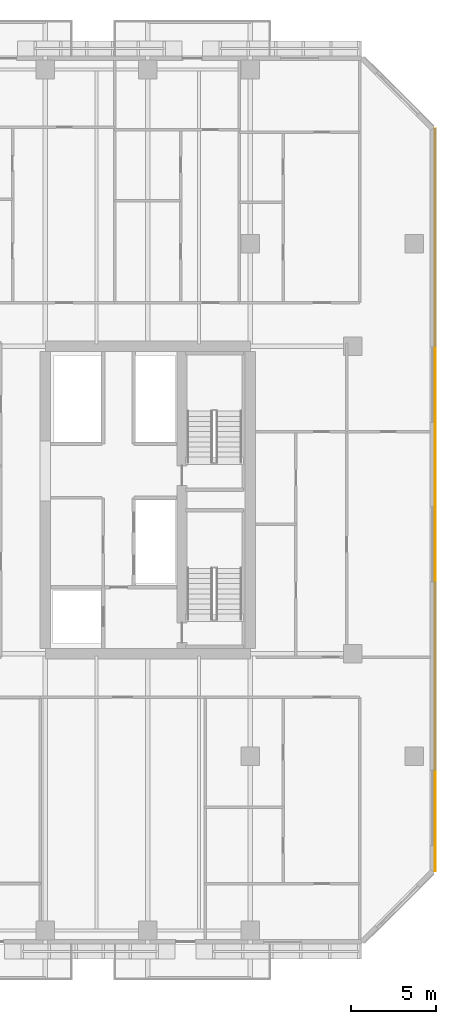
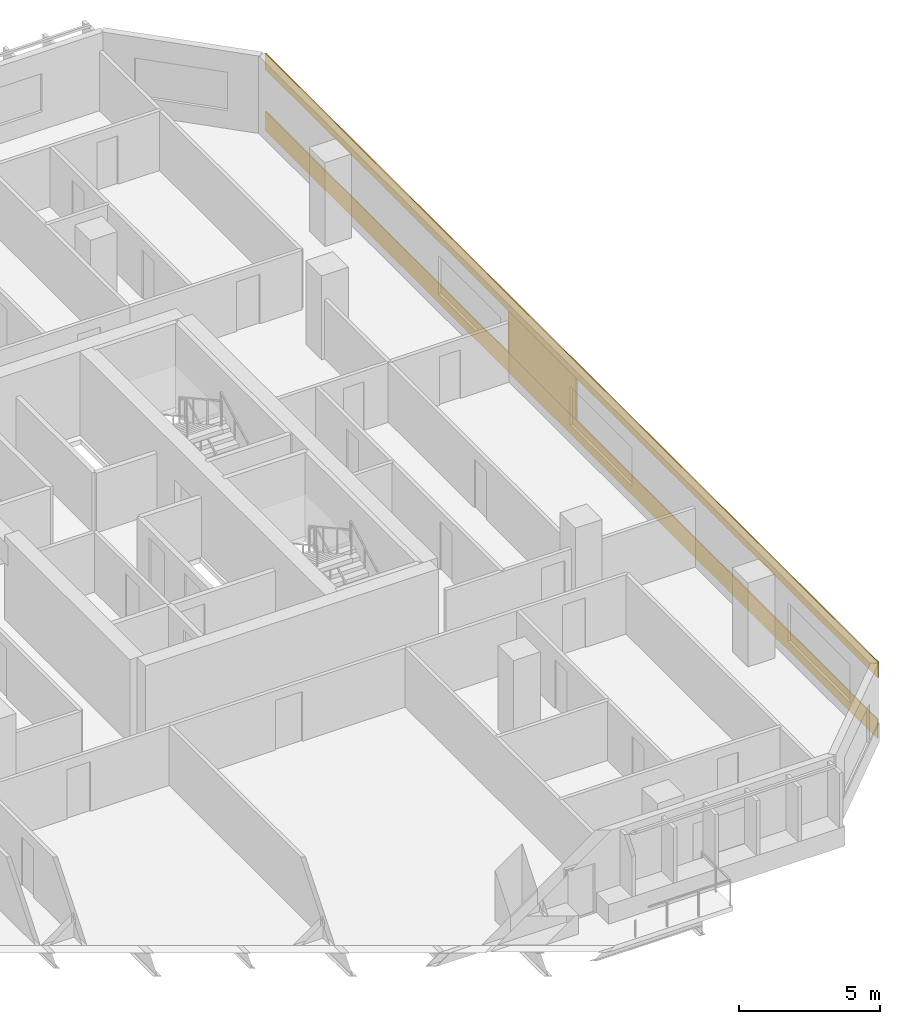
# One storey, part 24 of 25: 3 coverings.
"""IFC4 building model written with IfcOpenShell, lengths in metres."""

from ifc_helpers import new_model, si_unit, direction, frame, origin, origin_2d, place, context, subcontext, project, spatial, rectangle, extrude, material, layer, layer_set, type_object, element, save


model = new_model("IFC4")

# Units and contexts
model_context = context("Model", 3, precision=1e-05, world=origin(), true_north=direction((0.0, 1.0)))
body_context = subcontext(model_context, "Body", "Model", "MODEL_VIEW")
ifc_project = project(units=[si_unit("LENGTHUNIT", "METRE"), si_unit("AREAUNIT", "SQUARE_METRE"), si_unit("VOLUMEUNIT", "CUBIC_METRE"), si_unit("PLANEANGLEUNIT", "RADIAN"), si_unit("MASSUNIT", "GRAM", prefix="KILO")], contexts=[model_context])

# Site, building, storey
site_placement = place(None, origin())
site = spatial("IfcSite", under=ifc_project, at=site_placement, CompositionType="ELEMENT")
building_placement = place(site_placement, origin())
building = spatial("IfcBuilding", under=site, at=building_placement, Name="Tanjung Sevakor Pilgrim Tower", CompositionType="ELEMENT")
storey_placement = place(building_placement, frame((0.0, 0.0, 69.6298828125)))
storey = spatial("IfcBuildingStorey", under=building, at=storey_placement, Name="L19", CompositionType="ELEMENT", Elevation=69.6298828125)

# Coverings
ifc_material = material(Name="Reconstructed Limestone Cladding", Category="masonry")
ifc_layer = layer(ifc_material, 0.044921875)
ifc_layer_set = layer_set([ifc_layer], Name="COV-CLAD-LIMESTONE")
covering_type = type_object("IfcCoveringType", Name="COV-CLAD-LIMESTONE", PredefinedType="CLADDING", material=ifc_layer_set)
covering_1_placement = place(storey_placement, frame((100.822509765625, 33.60009765625, 0.01025390625), z_axis=(0.0, 0.0, 1.0), x_axis=(0.0, 1.0, 0.0)))
element("IfcCovering", 1, at=covering_1_placement, inside=storey, type_object=covering_type, Name="L19 Warm Limestone Sill Spandrel EW-L19-MAIN-7-1", PredefinedType="CLADDING", context=body_context, shape_type="SweptSolid", body=[
    extrude(rectangle(XDim=43.404052734375, YDim=0.044921875, at=origin_2d()), origin(), (0.0, 0.0, 1.0), 0.840087890625),
])
covering_2_placement = place(storey_placement, frame((100.822509765625, 33.60009765625, 2.66015625), z_axis=(0.0, 0.0, 1.0), x_axis=(0.0, 1.0, 0.0)))
element("IfcCovering", 2, at=covering_2_placement, inside=storey, type_object=covering_type, Name="L19 Warm Limestone Cornice Spandrel EW-L19-MAIN-7", PredefinedType="CLADDING", context=body_context, shape_type="SweptSolid", body=[
    extrude(rectangle(XDim=43.444091796875, YDim=0.044921875, at=origin_2d()), origin(), (0.0, 0.0, 1.0), 0.679931640625),
])
covering_3_placement = place(storey_placement, frame((100.822509765625, 35.679931640625, 0.85009765625), z_axis=(0.0, 0.0, 1.0), x_axis=(0.0, 1.0, 0.0)))
element("IfcCovering", 3, at=covering_3_placement, inside=storey, type_object=covering_type, Name="L19 Warm Limestone Pier Panel EW-L19-MAIN-7-2", PredefinedType="CLADDING", context=body_context, shape_type="SweptSolid", body=[
    extrude(rectangle(XDim=4.840087890625, YDim=0.044921875, at=origin_2d()), origin(), (0.0, 0.0, 1.0), 1.81005859375),
])

save(model, "model.ifc")
